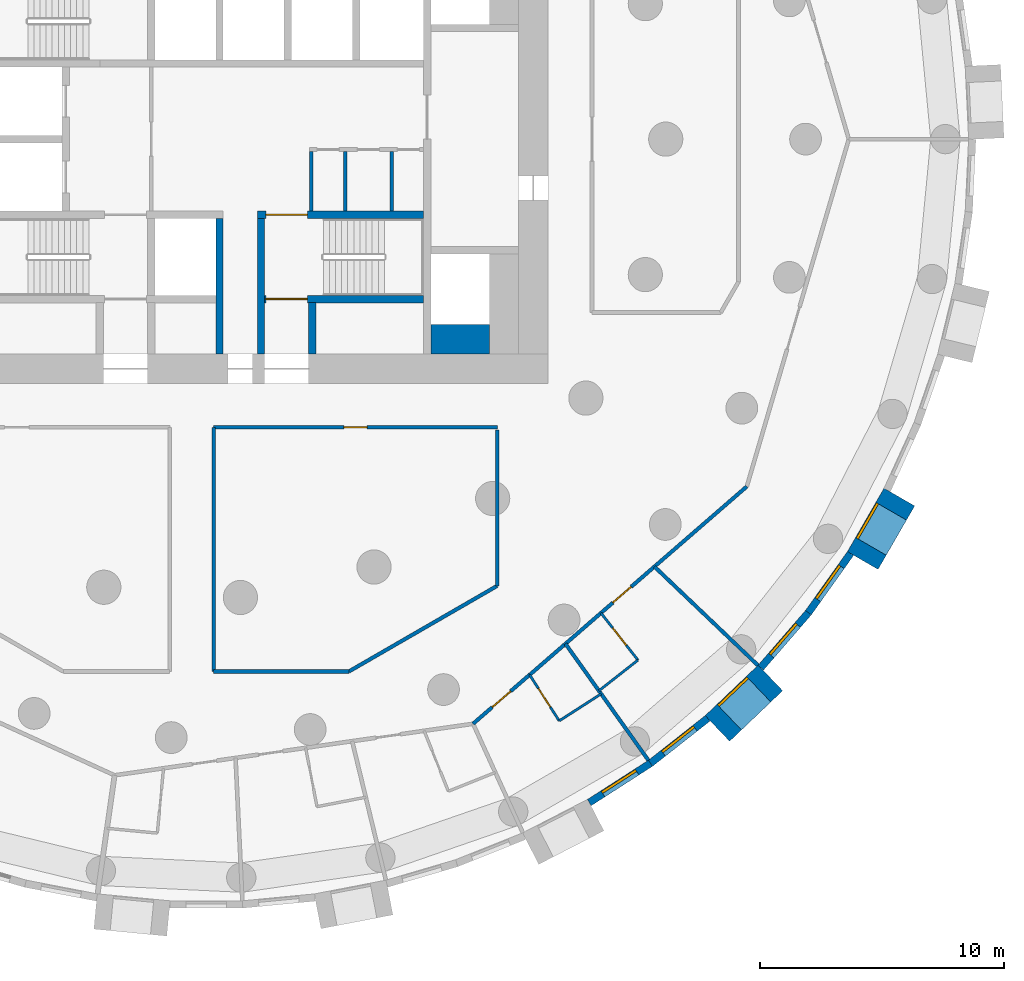
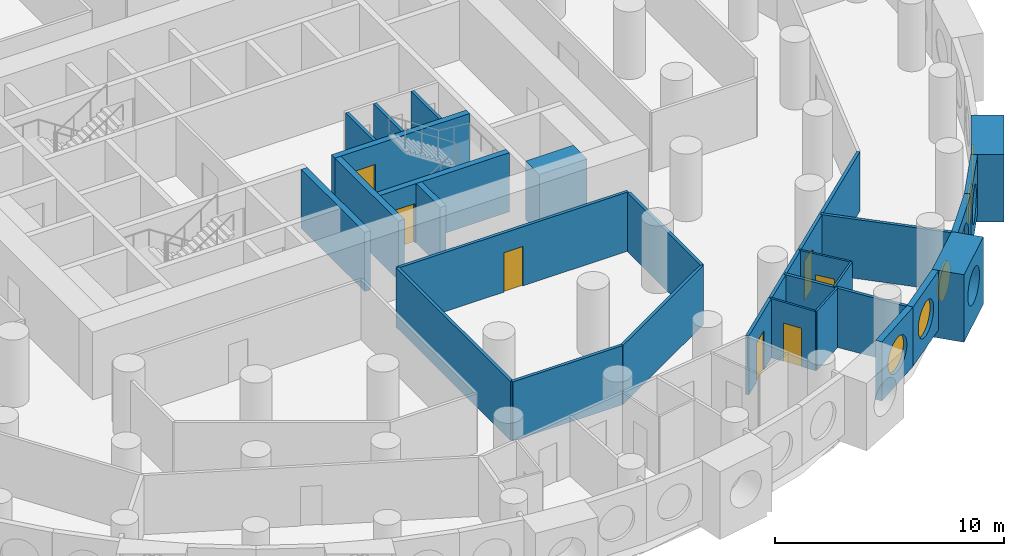
# One storey, part 5 of 11: 28 walls, 7 doors, 6 windows, 13 openings.
"""IFC4 building model written with IfcOpenShell, lengths in metres."""

from ifc_helpers import new_model, si_unit, direction, frame, frame_2d, origin, origin_2d, place, context, subcontext, project, spatial, rectangle, circle, extrude, material, layer, layer_set, type_object, element, fill, save


model = new_model("IFC4")

# Units and contexts
model_context = context("Model", 3, precision=1e-05, world=origin(), true_north=direction((0.0, 1.0)))
body_context = subcontext(model_context, "Body", "Model", "MODEL_VIEW")
ifc_project = project(units=[si_unit("LENGTHUNIT", "METRE"), si_unit("AREAUNIT", "SQUARE_METRE"), si_unit("VOLUMEUNIT", "CUBIC_METRE"), si_unit("PLANEANGLEUNIT", "RADIAN"), si_unit("MASSUNIT", "GRAM", prefix="KILO")], contexts=[model_context])

# Site, building, storey
site_placement = place(None, origin())
site = spatial("IfcSite", under=ifc_project, at=site_placement, CompositionType="ELEMENT")
building_placement = place(site_placement, origin())
building = spatial("IfcBuilding", under=site, at=building_placement, Name="Tracery Tower", CompositionType="ELEMENT")
storey_placement = place(building_placement, frame((0.0, 0.0, 93.0)))
storey = spatial("IfcBuildingStorey", under=building, at=storey_placement, Name="L23", CompositionType="ELEMENT", Elevation=93.0)

# Walls
ifc_material_1 = material(Name="Plasterboard on steel studs", Category="steel")
ifc_layer_1 = layer(ifc_material_1, 0.14990234375)
ifc_layer_set_1 = layer_set([ifc_layer_1], Name="Core room partition 150")
wall_type_1 = type_object("IfcWallType", Name="Core room partition 150", PredefinedType="SOLIDWALL", material=ifc_layer_set_1)
for number, where, z_axis, x_axis, name in (
    (1, (4.300048828125, -2.949951171875, 0.0), (0.0, 0.0, 1.0), (0.0, 1.0, 0.0), "L23 slot W"),
    (2, (5.699951171875, -2.949951171875, 0.0), (0.0, 0.0, 1.0), (0.0, 1.0, 0.0), "L23 slot sep 1"),
    (3, (7.60009765625, -2.949951171875, 0.0), (0.0, 0.0, 1.0), (0.0, 1.0, 0.0), "L23 slot sep 2"),
):
    element("IfcWall", number, at=place(storey_placement, frame(where, z_axis=z_axis, x_axis=x_axis)), inside=storey, type_object=wall_type_1, Name=name, PredefinedType="SOLIDWALL", context=body_context, shape_type="SweptSolid", body=[
        extrude(rectangle(XDim=2.449951171875, YDim=0.14990234375, at=frame_2d((1.22509765625, 0.0))), origin(), (0.0, 0.0, 1.0), 3.14990234375),
    ])
ifc_material_2 = material(Name="Concrete C60/75", Category="concrete")
ifc_layer_2 = layer(ifc_material_2, 1.199951171875)
ifc_layer_set_2 = layer_set([ifc_layer_2], Name="Core strip wall 1200 C60")
wall_type_2 = type_object("IfcWallType", Name="Core strip wall 1200 C60", PredefinedType="SOLIDWALL", material=ifc_layer_set_2)
wall_1_placement = place(storey_placement, frame((9.199951171875, -8.199951171875, 0.0), z_axis=(0.0, 0.0, 1.0), x_axis=(1.0, 0.0, 0.0)))
element("IfcWall", 4, at=wall_1_placement, inside=storey, type_object=wall_type_2, Name="L23 wing corner +1 -8.2", PredefinedType="SOLIDWALL", context=body_context, shape_type="SweptSolid", body=[
    extrude(rectangle(XDim=2.400146484375, YDim=1.199951171875, at=frame_2d((1.2001953125, 0.0))), origin(), (0.0, 0.0, 1.0), 3.14990234375),
])

# Wall, opening, window
ifc_material_3 = material(Name="Precast concrete C50/60", Category="concrete")
ifc_layer_3 = layer(ifc_material_3, 1.449951171875)
ifc_layer_set_3 = layer_set([ifc_layer_3], Name="Deep-set bay unit 3000 x 3600, slab edge 450")
wall_type_3 = type_object("IfcWallType", Name="Deep-set bay unit 3000 x 3600, slab edge 450", PredefinedType="ELEMENTEDWALL", material=ifc_layer_set_3)
wall_2_placement = place(storey_placement, frame((20.9375, -24.13232421875, -0.449951171875), z_axis=(0.0, 0.0, 1.0), x_axis=(0.723712023899, 0.690102098579, 0.0)))
wall_2 = element("IfcWall", 5, at=wall_2_placement, inside=storey, type_object=wall_type_3, Name="Deep-set bay unit 58 at L23", PredefinedType="ELEMENTEDWALL", context=body_context, shape_type="SweptSolid", body=[
    extrude(rectangle(XDim=3.0, YDim=1.449951171875, at=frame_2d((1.5, 0.0))), origin(), (0.0, 0.0, 1.0), 3.599853515625),
])
opening_1_placement = place(wall_2_placement, frame((1.5, 0.0, 2.0)))
opening_1 = element("IfcOpeningElement", 6, at=opening_1_placement, cuts=wall_2, Name="Opening WN1", PredefinedType="OPENING", context=body_context, shape_type="SweptSolid", body=[
    extrude(circle(Radius=0.9000244140625, at=origin_2d()), frame((0.0, 0.73486328125, 0.0), z_axis=(0.0, -1.0, 0.0), x_axis=(1.0, 0.0, 0.0)), (0.0, 0.0, 1.0), 1.469970703125),
])
ifc_material_4 = material(Name="Aluminium frame with tinted double glazing", Category="aluminium")
window_type = type_object("IfcWindowType", Name="Round window 1800", PartitioningType="SINGLE_PANEL", PredefinedType="WINDOW", material=ifc_material_4)
window_1_placement = place(opening_1_placement, origin())
window_1 = element("IfcWindow", 7, at=window_1_placement, inside=storey, type_object=window_type, Name="Round window 58 at L23", OverallHeight=1.800048828125, OverallWidth=1.800048828125, PartitioningType="SINGLE_PANEL", PredefinedType="WINDOW", context=body_context, shape_type="SweptSolid", body=[
    extrude(circle(Radius=0.9000244140625, at=origin_2d()), frame((0.0, 0.69482421875, 0.0), z_axis=(0.0, -1.0, 0.0), x_axis=(1.0, 0.0, 0.0)), (0.0, 0.0, 1.0), 0.10009765625),
])
fill(opening_1, window_1)

wall_3_placement = place(storey_placement, frame((26.88818359375, -17.256103515625, -0.449951171875), z_axis=(0.0, 0.0, 1.0), x_axis=(0.499990139034, 0.866031096941, 0.0)))
wall_3 = element("IfcWall", 8, at=wall_3_placement, inside=storey, type_object=wall_type_3, Name="Deep-set bay unit 61 at L23", PredefinedType="ELEMENTEDWALL", context=body_context, shape_type="SweptSolid", body=[
    extrude(rectangle(XDim=3.0, YDim=1.449951171875, at=frame_2d((1.5, 0.0))), origin(), (0.0, 0.0, 1.0), 3.599853515625),
])
opening_2_placement = place(wall_3_placement, frame((1.5, 0.0, 2.0)))
opening_2 = element("IfcOpeningElement", 9, at=opening_2_placement, cuts=wall_3, Name="Opening WN1", PredefinedType="OPENING", context=body_context, shape_type="SweptSolid", body=[
    extrude(circle(Radius=0.9000244140625, at=origin_2d()), frame((0.0, 0.73486328125, 0.0), z_axis=(0.0, -1.0, 0.0), x_axis=(1.0, 0.0, 0.0)), (0.0, 0.0, 1.0), 1.469970703125),
])
window_2_placement = place(opening_2_placement, origin())
window_2 = element("IfcWindow", 10, at=window_2_placement, inside=storey, type_object=window_type, Name="Round window 61 at L23", OverallHeight=1.800048828125, OverallWidth=1.800048828125, PartitioningType="SINGLE_PANEL", PredefinedType="WINDOW", context=body_context, shape_type="SweptSolid", body=[
    extrude(circle(Radius=0.9000244140625, at=origin_2d()), frame((0.0, 0.69482421875, 0.0), z_axis=(0.0, -1.0, 0.0), x_axis=(1.0, 0.0, 0.0)), (0.0, 0.0, 1.0), 0.10009765625),
])
fill(opening_2, window_2)

ifc_material_5 = material(Name="Precast concrete C50/60", Category="concrete")
ifc_layer_4 = layer(ifc_material_5, 0.300048828125)
ifc_layer_set_4 = layer_set([ifc_layer_4], Name="Facade panel 3000 x 3150")
wall_type_4 = type_object("IfcWallType", Name="Facade panel 3000 x 3150", PredefinedType="SOLIDWALL", material=ifc_layer_set_4)
wall_4_placement = place(storey_placement, frame((15.6923828125, -27.167724609375, 0.0), z_axis=(0.0, 0.0, 1.0), x_axis=(0.841260995538, 0.54062920508, 0.0)))
wall_4 = element("IfcWall", 11, at=wall_4_placement, inside=storey, type_object=wall_type_4, Name="Facade panel 56 at L23", PredefinedType="SOLIDWALL", context=body_context, shape_type="SweptSolid", body=[
    extrude(rectangle(XDim=2.9794921875, YDim=0.300048828125, at=frame_2d((1.48974609375, 0.0))), origin(), (0.0, 0.0, 1.0), 3.14990234375),
])
opening_3_placement = place(wall_4_placement, frame((1.48974609375, 0.0, 1.5498046875)))
opening_3 = element("IfcOpeningElement", 12, at=opening_3_placement, cuts=wall_4, Name="Opening WN1", PredefinedType="OPENING", context=body_context, shape_type="SweptSolid", body=[
    extrude(circle(Radius=0.9000244140625, at=origin_2d()), frame((0.0, 0.159912109375, 0.0), z_axis=(0.0, -1.0, 0.0), x_axis=(1.0, 0.0, 0.0)), (0.0, 0.0, 1.0), 0.320068359375),
])
window_3_placement = place(opening_3_placement, origin())
window_3 = element("IfcWindow", 13, at=window_3_placement, inside=storey, type_object=window_type, Name="Round window 56 at L23", OverallHeight=1.800048828125, OverallWidth=1.800048828125, PartitioningType="SINGLE_PANEL", PredefinedType="WINDOW", context=body_context, shape_type="SweptSolid", body=[
    extrude(circle(Radius=0.9000244140625, at=origin_2d()), frame((0.0, 0.1201171875, 0.0), z_axis=(0.0, -1.0, 0.0), x_axis=(1.0, 0.0, 0.0)), (0.0, 0.0, 1.0), 0.10009765625),
])
fill(opening_3, window_3)

wall_5_placement = place(storey_placement, frame((18.198974609375, -25.556884765625, 0.0), z_axis=(0.0, 0.0, 1.0), x_axis=(0.786053834673, 0.618158045322, 0.0)))
wall_5 = element("IfcWall", 14, at=wall_5_placement, inside=storey, type_object=wall_type_4, Name="Facade panel 57 at L23", PredefinedType="SOLIDWALL", context=body_context, shape_type="SweptSolid", body=[
    extrude(rectangle(XDim=2.9794921875, YDim=0.300048828125, at=frame_2d((1.48974609375, 0.0))), origin(), (0.0, 0.0, 1.0), 3.14990234375),
])
opening_4_placement = place(wall_5_placement, frame((1.48974609375, 0.0, 1.5498046875)))
opening_4 = element("IfcOpeningElement", 15, at=opening_4_placement, cuts=wall_5, Name="Opening WN1", PredefinedType="OPENING", context=body_context, shape_type="SweptSolid", body=[
    extrude(circle(Radius=0.9000244140625, at=origin_2d()), frame((0.0, 0.159912109375, 0.0), z_axis=(0.0, -1.0, 0.0), x_axis=(1.0, 0.0, 0.0)), (0.0, 0.0, 1.0), 0.320068359375),
])
window_4_placement = place(opening_4_placement, origin())
window_4 = element("IfcWindow", 16, at=window_4_placement, inside=storey, type_object=window_type, Name="Round window 57 at L23", OverallHeight=1.800048828125, OverallWidth=1.800048828125, PartitioningType="SINGLE_PANEL", PredefinedType="WINDOW", context=body_context, shape_type="SweptSolid", body=[
    extrude(circle(Radius=0.9000244140625, at=origin_2d()), frame((0.0, 0.1201171875, 0.0), z_axis=(0.0, -1.0, 0.0), x_axis=(1.0, 0.0, 0.0)), (0.0, 0.0, 1.0), 0.10009765625),
])
fill(opening_4, window_4)

wall_6_placement = place(storey_placement, frame((22.710693359375, -21.646240234375, 0.0), z_axis=(0.0, 0.0, 1.0), x_axis=(0.654830712471, 0.755775587066, 0.0)))
wall_6 = element("IfcWall", 17, at=wall_6_placement, inside=storey, type_object=wall_type_4, Name="Facade panel 59 at L23", PredefinedType="SOLIDWALL", context=body_context, shape_type="SweptSolid", body=[
    extrude(rectangle(XDim=2.979736328125, YDim=0.300048828125, at=frame_2d((1.48974609375, 0.0))), origin(), (0.0, 0.0, 1.0), 3.14990234375),
])
opening_5_placement = place(wall_6_placement, frame((1.48974609375, 0.0, 1.5498046875)))
opening_5 = element("IfcOpeningElement", 18, at=opening_5_placement, cuts=wall_6, Name="Opening WN1", PredefinedType="OPENING", context=body_context, shape_type="SweptSolid", body=[
    extrude(circle(Radius=0.9000244140625, at=origin_2d()), frame((0.0, 0.159912109375, 0.0), z_axis=(0.0, -1.0, 0.0), x_axis=(1.0, 0.0, 0.0)), (0.0, 0.0, 1.0), 0.320068359375),
])
window_5_placement = place(opening_5_placement, origin())
window_5 = element("IfcWindow", 19, at=window_5_placement, inside=storey, type_object=window_type, Name="Round window 59 at L23", OverallHeight=1.800048828125, OverallWidth=1.800048828125, PartitioningType="SINGLE_PANEL", PredefinedType="WINDOW", context=body_context, shape_type="SweptSolid", body=[
    extrude(circle(Radius=0.9000244140625, at=origin_2d()), frame((0.0, 0.1201171875, 0.0), z_axis=(0.0, -1.0, 0.0), x_axis=(1.0, 0.0, 0.0)), (0.0, 0.0, 1.0), 0.10009765625),
])
fill(opening_5, window_5)

wall_7_placement = place(storey_placement, frame((24.661865234375, -19.394287109375, 0.0), z_axis=(0.0, 0.0, 1.0), x_axis=(0.580113774115, 0.814535456, 0.0)))
wall_7 = element("IfcWall", 20, at=wall_7_placement, inside=storey, type_object=wall_type_4, Name="Facade panel 60 at L23", PredefinedType="SOLIDWALL", context=body_context, shape_type="SweptSolid", body=[
    extrude(rectangle(XDim=2.979736328125, YDim=0.300048828125, at=frame_2d((1.48974609375, 0.0))), origin(), (0.0, 0.0, 1.0), 3.14990234375),
])
opening_6_placement = place(wall_7_placement, frame((1.48974609375, 0.0, 1.5498046875)))
opening_6 = element("IfcOpeningElement", 21, at=opening_6_placement, cuts=wall_7, Name="Opening WN1", PredefinedType="OPENING", context=body_context, shape_type="SweptSolid", body=[
    extrude(circle(Radius=0.9000244140625, at=origin_2d()), frame((0.0, 0.159912109375, 0.0), z_axis=(0.0, -1.0, 0.0), x_axis=(1.0, 0.0, 0.0)), (0.0, 0.0, 1.0), 0.320068359375),
])
window_6_placement = place(opening_6_placement, origin())
window_6 = element("IfcWindow", 22, at=window_6_placement, inside=storey, type_object=window_type, Name="Round window 60 at L23", OverallHeight=1.800048828125, OverallWidth=1.800048828125, PartitioningType="SINGLE_PANEL", PredefinedType="WINDOW", context=body_context, shape_type="SweptSolid", body=[
    extrude(circle(Radius=0.9000244140625, at=origin_2d()), frame((0.0, 0.1201171875, 0.0), z_axis=(0.0, -1.0, 0.0), x_axis=(1.0, 0.0, 0.0)), (0.0, 0.0, 1.0), 0.10009765625),
])
fill(opening_6, window_6)

# Wall, opening, door
ifc_material_6 = material(Name="Plasterboard on steel studs", Category="steel")
ifc_layer_5 = layer(ifc_material_6, 0.10009765625)
ifc_layer_set_5 = layer_set([ifc_layer_5], Name="Partition 100 wet wall")
wall_type_5 = type_object("IfcWallType", Name="Partition 100 wet wall", PredefinedType="PARTITIONING", material=ifc_layer_set_5)
wall_8_placement = place(storey_placement, frame((13.248046875, -21.93505859375, 0.0), z_axis=(0.0, 0.0, 1.0), x_axis=(0.540597960994, -0.841281073464, 0.0)))
wall_8 = element("IfcWall", 23, at=wall_8_placement, inside=storey, type_object=wall_type_5, Name="Wet wall RA7-082", PredefinedType="PARTITIONING", context=body_context, shape_type="SweptSolid", body=[
    extrude(rectangle(XDim=2.24169921875, YDim=0.10009765625, at=frame_2d((1.120849609375, 0.0))), origin(), (0.0, 0.0, 1.0), 3.14990234375),
])
opening_7_placement = place(wall_8_placement, frame((0.6708984375, 0.0, 0.0)))
opening_7 = element("IfcOpeningElement", 24, at=opening_7_placement, cuts=wall_8, Name="Opening RA7-33", PredefinedType="OPENING", context=body_context, shape_type="SweptSolid", body=[
    extrude(rectangle(XDim=0.89990234375, YDim=2.0400390625, at=frame_2d((0.449951171875, 1.02001953125))), frame((0.0, 0.050048828125, 0.0), z_axis=(0.0, -1.0, 0.0), x_axis=(1.0, 0.0, 0.0)), (0.0, 0.0, 1.0), 0.10009765625),
])
ifc_material_7 = material(Name="Timber door leaf", Category="wood")
door_type_1 = type_object("IfcDoorType", Name="Door en-suite 900", OperationType="NOTDEFINED", PredefinedType="DOOR", material=ifc_material_7)
door_1_placement = place(opening_7_placement, origin())
door_1 = element("IfcDoor", 25, at=door_1_placement, inside=storey, type_object=door_type_1, Name="En-suite door RA7-33", OperationType="SINGLE_SWING_RIGHT", OverallHeight=2.0400390625, OverallWidth=0.89990234375, PredefinedType="DOOR", context=body_context, shape_type="SweptSolid", body=[
    extrude(rectangle(XDim=0.89990234375, YDim=2.0400390625, at=frame_2d((0.449951171875, 1.02001953125))), frame((0.0, 0.02490234375, 0.0), z_axis=(0.0, -1.0, 0.0), x_axis=(1.0, 0.0, 0.0)), (0.0, 0.0, 1.0), 0.050048828125),
])
fill(opening_7, door_1)

# Walls
wall_9_placement = place(storey_placement, frame((14.4599609375, -23.821044921875, 0.0), z_axis=(0.0, 0.0, 1.0), x_axis=(0.841135728185, 0.540824081168, 0.0)))
element("IfcWall", 26, at=wall_9_placement, inside=storey, type_object=wall_type_5, Name="Wet wall RA7-083", PredefinedType="PARTITIONING", context=body_context, shape_type="SweptSolid", body=[
    extrude(rectangle(XDim=2.041259765625, YDim=0.10009765625, at=frame_2d((1.0205078125, 0.0))), origin(), (0.0, 0.0, 1.0), 3.14990234375),
])
wall_10_placement = place(storey_placement, frame((16.0859375, -22.589111328125, 0.0), z_axis=(0.0, 0.0, 1.0), x_axis=(0.785984904201, 0.618245687707, 0.0)))
element("IfcWall", 27, at=wall_10_placement, inside=storey, type_object=wall_type_5, Name="Wet wall RA7-085", PredefinedType="PARTITIONING", context=body_context, shape_type="SweptSolid", body=[
    extrude(rectangle(XDim=2.033203125, YDim=0.10009765625, at=frame_2d((1.0166015625, 0.0))), origin(), (0.0, 0.0, 1.0), 3.14990234375),
])

# Wall, opening, door
wall_11_placement = place(storey_placement, frame((16.16796875, -19.404052734375, 0.0), z_axis=(0.0, 0.0, 1.0), x_axis=(0.618142414415, -0.786066126672, 0.0)))
wall_11 = element("IfcWall", 28, at=wall_11_placement, inside=storey, type_object=wall_type_5, Name="Wet wall RA7-086", PredefinedType="PARTITIONING", context=body_context, shape_type="SweptSolid", body=[
    extrude(rectangle(XDim=2.45263671875, YDim=0.10009765625, at=frame_2d((1.226318359375, 0.0))), origin(), (0.0, 0.0, 1.0), 3.14990234375),
])
opening_8_placement = place(wall_11_placement, frame((0.776611328125, 0.0, 0.0)))
opening_8 = element("IfcOpeningElement", 29, at=opening_8_placement, cuts=wall_11, Name="Opening RA7-35", PredefinedType="OPENING", context=body_context, shape_type="SweptSolid", body=[
    extrude(rectangle(XDim=0.89990234375, YDim=2.0400390625, at=frame_2d((0.449951171875, 1.02001953125))), frame((0.0, 0.050048828125, 0.0), z_axis=(0.0, -1.0, 0.0), x_axis=(1.0, 0.0, 0.0)), (0.0, 0.0, 1.0), 0.10009765625),
])
door_2_placement = place(opening_8_placement, origin())
door_2 = element("IfcDoor", 30, at=door_2_placement, inside=storey, type_object=door_type_1, Name="En-suite door RA7-35", OperationType="SINGLE_SWING_LEFT", OverallHeight=2.0400390625, OverallWidth=0.89990234375, PredefinedType="DOOR", context=body_context, shape_type="SweptSolid", body=[
    extrude(rectangle(XDim=0.89990234375, YDim=2.0400390625, at=frame_2d((0.449951171875, 1.02001953125))), frame((0.0, 0.02490234375, 0.0), z_axis=(0.0, -1.0, 0.0), x_axis=(1.0, 0.0, 0.0)), (0.0, 0.0, 1.0), 0.050048828125),
])
fill(opening_8, door_2)

# Walls
ifc_material_8 = material(Name="Plasterboard on steel studs", Category="steel")
ifc_layer_6 = layer(ifc_material_8, 0.14990234375)
ifc_layer_set_6 = layer_set([ifc_layer_6], Name="Partition 150 acoustic unit wall")
wall_type_6 = type_object("IfcWallType", Name="Partition 150 acoustic unit wall", PredefinedType="PARTITIONING", material=ifc_layer_set_6)
wall_12_placement = place(storey_placement, frame((14.71533203125, -20.663818359375, 0.0), z_axis=(0.0, 0.0, 1.0), x_axis=(0.57995989616, -0.814645026282, 0.0)))
element("IfcWall", 31, at=wall_12_placement, inside=storey, type_object=wall_type_6, Name="Unit wall RA7-084", PredefinedType="PARTITIONING", context=body_context, shape_type="SweptSolid", body=[
    extrude(rectangle(XDim=5.85693359375, YDim=0.14990234375, at=frame_2d((2.928466796875, 0.0))), origin(), (0.0, 0.0, 1.0), 3.14990234375),
])
wall_13_placement = place(storey_placement, frame((18.35888671875, -17.506103515625, 0.0), z_axis=(0.0, 0.0, 1.0), x_axis=(0.723808715798, -0.690000683286, 0.0)))
element("IfcWall", 32, at=wall_13_placement, inside=storey, type_object=wall_type_6, Name="Unit wall RA7-087", PredefinedType="PARTITIONING", context=body_context, shape_type="SweptSolid", body=[
    extrude(rectangle(XDim=5.8564453125, YDim=0.14990234375, at=frame_2d((2.92822265625, 0.0))), origin(), (0.0, 0.0, 1.0), 3.14990234375),
])

# Wall, opening, door
ifc_material_9 = material(Name="Plasterboard on steel studs", Category="steel")
ifc_layer_7 = layer(ifc_material_9, 0.14990234375)
ifc_layer_set_7 = layer_set([ifc_layer_7], Name="Partition 150 corridor wall")
wall_type_7 = type_object("IfcWallType", Name="Partition 150 corridor wall", PredefinedType="PARTITIONING", material=ifc_layer_set_7)
wall_14_placement = place(storey_placement, frame((0.305908203125, -11.800048828125, 0.0), z_axis=(0.0, 0.0, 1.0), x_axis=(1.0, 0.0, 0.0)))
wall_14 = element("IfcWall", 33, at=wall_14_placement, inside=storey, type_object=wall_type_7, Name="Corridor wall RA7-004", PredefinedType="PARTITIONING", context=body_context, shape_type="SweptSolid", body=[
    extrude(rectangle(XDim=11.6181640625, YDim=0.14990234375, at=frame_2d((5.80908203125, 0.0))), origin(), (0.0, 0.0, 1.0), 3.14990234375),
])
opening_9_placement = place(wall_14_placement, frame((5.333984375, 0.0, 0.0)))
opening_9 = element("IfcOpeningElement", 34, at=opening_9_placement, cuts=wall_14, Name="Opening RA7-04", PredefinedType="OPENING", context=body_context, shape_type="SweptSolid", body=[
    extrude(rectangle(XDim=0.949951171875, YDim=2.10009765625, at=frame_2d((0.47509765625, 1.050048828125))), frame((0.0, 0.074951171875, 0.0), z_axis=(0.0, -1.0, 0.0), x_axis=(1.0, 0.0, 0.0)), (0.0, 0.0, 1.0), 0.14990234375),
])
ifc_material_10 = material(Name="Timber door leaf", Category="wood")
door_type_2 = type_object("IfcDoorType", Name="Door store 950", OperationType="NOTDEFINED", PredefinedType="DOOR", material=ifc_material_10)
door_3_placement = place(opening_9_placement, origin())
door_3 = element("IfcDoor", 35, at=door_3_placement, inside=storey, type_object=door_type_2, Name="Store door RA7-04", OperationType="SINGLE_SWING_LEFT", OverallHeight=2.10009765625, OverallWidth=0.949951171875, PredefinedType="DOOR", context=body_context, shape_type="SweptSolid", body=[
    extrude(rectangle(XDim=0.949951171875, YDim=2.10009765625, at=frame_2d((0.47509765625, 1.050048828125))), frame((0.0, 0.02490234375, 0.0), z_axis=(0.0, -1.0, 0.0), x_axis=(1.0, 0.0, 0.0)), (0.0, 0.0, 1.0), 0.050048828125),
])
fill(opening_9, door_3)

wall_15_placement = place(storey_placement, frame((13.247314453125, -21.939453125, 0.0), z_axis=(0.0, 0.0, 1.0), x_axis=(0.755420750547, 0.655240024451, 0.0)))
wall_15 = element("IfcWall", 36, at=wall_15_placement, inside=storey, type_object=wall_type_7, Name="Corridor wall RA7-014", PredefinedType="PARTITIONING", context=body_context, shape_type="SweptSolid", body=[
    extrude(rectangle(XDim=11.770751953125, YDim=0.14990234375, at=frame_2d((5.88525390625, 0.0))), origin(), (0.0, 0.0, 1.0), 3.14990234375),
])
opening_10_placement = place(wall_15_placement, frame((4.512939453125, 0.0, 0.0)))
opening_10 = element("IfcOpeningElement", 37, at=opening_10_placement, cuts=wall_15, Name="Opening RA7-36", PredefinedType="OPENING", context=body_context, shape_type="SweptSolid", body=[
    extrude(rectangle(XDim=1.0, YDim=2.10009765625, at=frame_2d((0.5, 1.050048828125))), frame((0.0, 0.074951171875, 0.0), z_axis=(0.0, -1.0, 0.0), x_axis=(1.0, 0.0, 0.0)), (0.0, 0.0, 1.0), 0.14990234375),
])
ifc_material_11 = material(Name="Timber door leaf", Category="wood")
door_type_3 = type_object("IfcDoorType", Name="Door unit entrance 1000", OperationType="NOTDEFINED", PredefinedType="DOOR", material=ifc_material_11)
door_4_placement = place(opening_10_placement, origin())
door_4 = element("IfcDoor", 38, at=door_4_placement, inside=storey, type_object=door_type_3, Name="Unit entrance door RA7-36", OperationType="SINGLE_SWING_LEFT", OverallHeight=2.10009765625, OverallWidth=1.0, PredefinedType="DOOR", context=body_context, shape_type="SweptSolid", body=[
    extrude(rectangle(XDim=1.0, YDim=2.10009765625, at=frame_2d((0.5, 1.050048828125))), frame((0.0, 0.02490234375, 0.0), z_axis=(0.0, -1.0, 0.0), x_axis=(1.0, 0.0, 0.0)), (0.0, 0.0, 1.0), 0.050048828125),
])
fill(opening_10, door_4)

# Walls
wall_16_placement = place(storey_placement, frame((0.31005859375, -21.802001953125, 0.0), z_axis=(0.0, 0.0, 1.0), x_axis=(0.0, 1.0, 0.0)))
element("IfcWall", 39, at=wall_16_placement, inside=storey, type_object=wall_type_7, Name="Corridor wall RA7-039", PredefinedType="PARTITIONING", context=body_context, shape_type="SweptSolid", body=[
    extrude(rectangle(XDim=10.001953125, YDim=0.14990234375, at=frame_2d((5.0009765625, 0.0))), origin(), (0.0, 0.0, 1.0), 3.14990234375),
])
wall_17_placement = place(storey_placement, frame((0.31005859375, -21.802001953125, 0.0), z_axis=(0.0, 0.0, 1.0), x_axis=(1.0, 0.0, 0.0)))
element("IfcWall", 40, at=wall_17_placement, inside=storey, type_object=wall_type_7, Name="Corridor wall RA7-040", PredefinedType="PARTITIONING", context=body_context, shape_type="SweptSolid", body=[
    extrude(rectangle(XDim=5.531982421875, YDim=0.14990234375, at=frame_2d((2.76611328125, 0.0))), origin(), (0.0, 0.0, 1.0), 3.14990234375),
])
wall_18_placement = place(storey_placement, frame((5.842041015625, -21.802001953125, 0.0), z_axis=(0.0, 0.0, 1.0), x_axis=(0.866027436592, 0.499996479058, 0.0)))
element("IfcWall", 41, at=wall_18_placement, inside=storey, type_object=wall_type_7, Name="Corridor wall RA7-041", PredefinedType="PARTITIONING", context=body_context, shape_type="SweptSolid", body=[
    extrude(rectangle(XDim=7.01806640625, YDim=0.14990234375, at=frame_2d((3.509033203125, 0.0))), origin(), (0.0, 0.0, 1.0), 3.14990234375),
])
wall_19_placement = place(storey_placement, frame((11.919921875, -18.29296875, 0.0), z_axis=(0.0, 0.0, 1.0), x_axis=(0.0, 1.0, 0.0)))
element("IfcWall", 42, at=wall_19_placement, inside=storey, type_object=wall_type_7, Name="Corridor wall RA7-042", PredefinedType="PARTITIONING", context=body_context, shape_type="SweptSolid", body=[
    extrude(rectangle(XDim=6.373046875, YDim=0.14990234375, at=frame_2d((3.1865234375, 0.0))), origin(), (0.0, 0.0, 1.0), 3.14990234375),
])

# Wall, opening, door
wall_20_placement = place(storey_placement, frame((10.93310546875, -23.93994140625, 0.0), z_axis=(0.0, 0.0, 1.0), x_axis=(0.755675945931, 0.654945696025, 0.0)))
wall_20 = element("IfcWall", 43, at=wall_20_placement, inside=storey, type_object=wall_type_7, Name="Corridor wall RA7-045", PredefinedType="PARTITIONING", context=body_context, shape_type="SweptSolid", body=[
    extrude(rectangle(XDim=3.06591796875, YDim=0.14990234375, at=frame_2d((1.532958984375, 0.0))), origin(), (0.0, 0.0, 1.0), 3.14990234375),
])
opening_11_placement = place(wall_20_placement, frame((1.032958984375, 0.0, 0.0)))
opening_11 = element("IfcOpeningElement", 44, at=opening_11_placement, cuts=wall_20, Name="Opening RA7-34", PredefinedType="OPENING", context=body_context, shape_type="SweptSolid", body=[
    extrude(rectangle(XDim=1.0, YDim=2.10009765625, at=frame_2d((0.5, 1.050048828125))), frame((0.0, 0.074951171875, 0.0), z_axis=(0.0, -1.0, 0.0), x_axis=(1.0, 0.0, 0.0)), (0.0, 0.0, 1.0), 0.14990234375),
])
door_5_placement = place(opening_11_placement, origin())
door_5 = element("IfcDoor", 45, at=door_5_placement, inside=storey, type_object=door_type_3, Name="Unit entrance door RA7-34", OperationType="SINGLE_SWING_LEFT", OverallHeight=2.10009765625, OverallWidth=1.0, PredefinedType="DOOR", context=body_context, shape_type="SweptSolid", body=[
    extrude(rectangle(XDim=1.0, YDim=2.10009765625, at=frame_2d((0.5, 1.050048828125))), frame((0.0, 0.02490234375, 0.0), z_axis=(0.0, -1.0, 0.0), x_axis=(1.0, 0.0, 0.0)), (0.0, 0.0, 1.0), 0.050048828125),
])
fill(opening_11, door_5)

# Walls
ifc_material_12 = material(Name="Concrete C60/75", Category="concrete")
ifc_layer_8 = layer(ifc_material_12, 0.300048828125)
ifc_layer_set_8 = layer_set([ifc_layer_8], Name="Shaft wall 300 C60")
wall_type_8 = type_object("IfcWallType", Name="Shaft wall 300 C60", PredefinedType="SOLIDWALL", material=ifc_layer_set_8)
wall_21_placement = place(storey_placement, frame((0.550048828125, -8.800048828125, 0.0), z_axis=(0.0, 0.0, 1.0), x_axis=(0.0, 1.0, 0.0)))
element("IfcWall", 46, at=wall_21_placement, inside=storey, type_object=wall_type_8, Name="L23 OB2 E", PredefinedType="SOLIDWALL", context=body_context, shape_type="SweptSolid", body=[
    extrude(rectangle(XDim=5.550048828125, YDim=0.300048828125, at=frame_2d((2.77490234375, 0.0))), origin(), (0.0, 0.0, 1.0), 3.14990234375),
])
wall_22_placement = place(storey_placement, frame((4.35009765625, -8.800048828125, 0.0), z_axis=(0.0, 0.0, 1.0), x_axis=(0.0, 1.0, 0.0)))
element("IfcWall", 47, at=wall_22_placement, inside=storey, type_object=wall_type_8, Name="L23 band S +4.35", PredefinedType="SOLIDWALL", context=body_context, shape_type="SweptSolid", body=[
    extrude(rectangle(XDim=2.10009765625, YDim=0.300048828125, at=frame_2d((1.050048828125, 0.0))), origin(), (0.0, 0.0, 1.0), 3.14990234375),
])

# Wall, opening, door
ifc_material_13 = material(Name="Concrete C60/75", Category="concrete")
ifc_layer_9 = layer(ifc_material_13, 0.300048828125)
ifc_layer_set_9 = layer_set([ifc_layer_9], Name="Stair wall 300 C60")
wall_type_9 = type_object("IfcWallType", Name="Stair wall 300 C60", PredefinedType="SOLIDWALL", material=ifc_layer_set_9)
wall_23_placement = place(storey_placement, frame((2.10009765625, -3.10009765625, 0.0), z_axis=(0.0, 0.0, 1.0), x_axis=(1.0, 0.0, 0.0)))
wall_23 = element("IfcWall", 48, at=wall_23_placement, inside=storey, type_object=wall_type_9, Name="L23 row S E", PredefinedType="SOLIDWALL", context=body_context, shape_type="SweptSolid", body=[
    extrude(rectangle(XDim=6.7998046875, YDim=0.300048828125, at=frame_2d((3.39990234375, 0.0))), origin(), (0.0, 0.0, 1.0), 3.14990234375),
])
opening_12_placement = place(wall_23_placement, frame((0.35009765625, 0.0, 0.0)))
opening_12 = element("IfcOpeningElement", 49, at=opening_12_placement, cuts=wall_23, Name="Opening KD3", PredefinedType="OPENING", context=body_context, shape_type="SweptSolid", body=[
    extrude(rectangle(XDim=1.699951171875, YDim=2.10009765625, at=frame_2d((0.85009765625, 1.050048828125))), frame((0.0, 0.14990234375, 0.0), z_axis=(0.0, -1.0, 0.0), x_axis=(1.0, 0.0, 0.0)), (0.0, 0.0, 1.0), 0.300048828125),
])
ifc_material_14 = material(Name="Steel fire door", Category="steel")
door_type_4 = type_object("IfcDoorType", Name="Core stair door 1700 double", OperationType="NOTDEFINED", PredefinedType="DOOR", material=ifc_material_14)
door_6_placement = place(opening_12_placement, origin())
door_6 = element("IfcDoor", 50, at=door_6_placement, inside=storey, type_object=door_type_4, Name="Stair door ST2", OperationType="DOUBLE_DOOR_SINGLE_SWING", OverallHeight=2.10009765625, OverallWidth=1.699951171875, PredefinedType="DOOR", context=body_context, shape_type="SweptSolid", body=[
    extrude(rectangle(XDim=1.699951171875, YDim=2.10009765625, at=frame_2d((0.85009765625, 1.050048828125))), frame((0.0, 0.02490234375, 0.0), z_axis=(0.0, -1.0, 0.0), x_axis=(1.0, 0.0, 0.0)), (0.0, 0.0, 1.0), 0.050048828125),
])
fill(opening_12, door_6)

# Wall
wall_24_placement = place(storey_placement, frame((2.25, -8.800048828125, 0.0), z_axis=(0.0, 0.0, 1.0), x_axis=(0.0, 1.0, 0.0)))
element("IfcWall", 51, at=wall_24_placement, inside=storey, type_object=wall_type_9, Name="L23 ST2 W", PredefinedType="SOLIDWALL", context=body_context, shape_type="SweptSolid", body=[
    extrude(rectangle(XDim=5.550048828125, YDim=0.300048828125, at=frame_2d((2.77490234375, 0.0))), origin(), (0.0, 0.0, 1.0), 3.14990234375),
])

# Wall, opening, door
wall_25_placement = place(storey_placement, frame((2.39990234375, -6.550048828125, 0.0), z_axis=(0.0, 0.0, 1.0), x_axis=(1.0, 0.0, 0.0)))
wall_25 = element("IfcWall", 52, at=wall_25_placement, inside=storey, type_object=wall_type_9, Name="L23 F S E", PredefinedType="SOLIDWALL", context=body_context, shape_type="SweptSolid", body=[
    extrude(rectangle(XDim=6.5, YDim=0.300048828125, at=frame_2d((3.25, 0.0))), origin(), (0.0, 0.0, 1.0), 3.14990234375),
])
opening_13_placement = place(wall_25_placement, frame((0.050048828125, 0.0, 0.0)))
opening_13 = element("IfcOpeningElement", 53, at=opening_13_placement, cuts=wall_25, Name="Opening KD3", PredefinedType="OPENING", context=body_context, shape_type="SweptSolid", body=[
    extrude(rectangle(XDim=1.699951171875, YDim=2.10009765625, at=frame_2d((0.85009765625, 1.050048828125))), frame((0.0, 0.14990234375, 0.0), z_axis=(0.0, -1.0, 0.0), x_axis=(1.0, 0.0, 0.0)), (0.0, 0.0, 1.0), 0.300048828125),
])
door_7_placement = place(opening_13_placement, origin())
door_7 = element("IfcDoor", 54, at=door_7_placement, inside=storey, type_object=door_type_4, Name="Stair door ST2 S", OperationType="DOUBLE_DOOR_SINGLE_SWING", OverallHeight=2.10009765625, OverallWidth=1.699951171875, PredefinedType="DOOR", context=body_context, shape_type="SweptSolid", body=[
    extrude(rectangle(XDim=1.699951171875, YDim=2.10009765625, at=frame_2d((0.85009765625, 1.050048828125))), frame((0.0, 0.02490234375, 0.0), z_axis=(0.0, -1.0, 0.0), x_axis=(1.0, 0.0, 0.0)), (0.0, 0.0, 1.0), 0.050048828125),
])
fill(opening_13, door_7)

save(model, "model.ifc")
